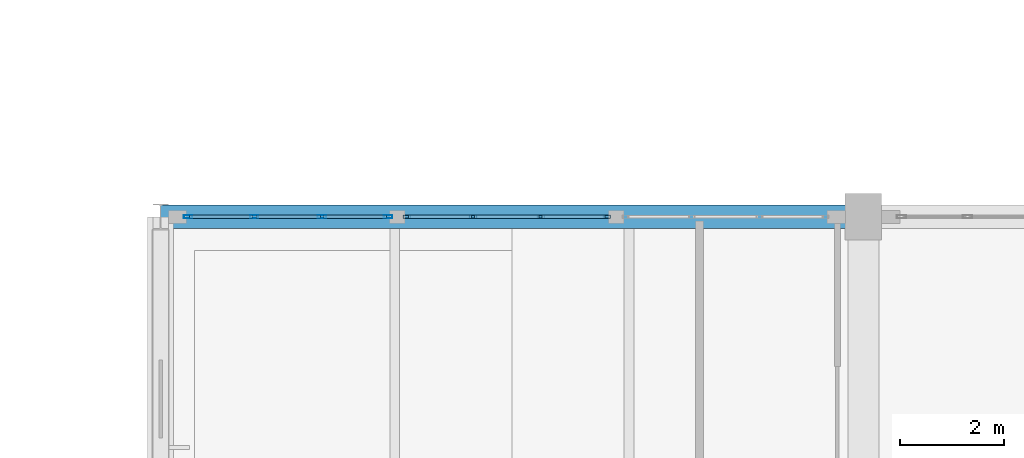
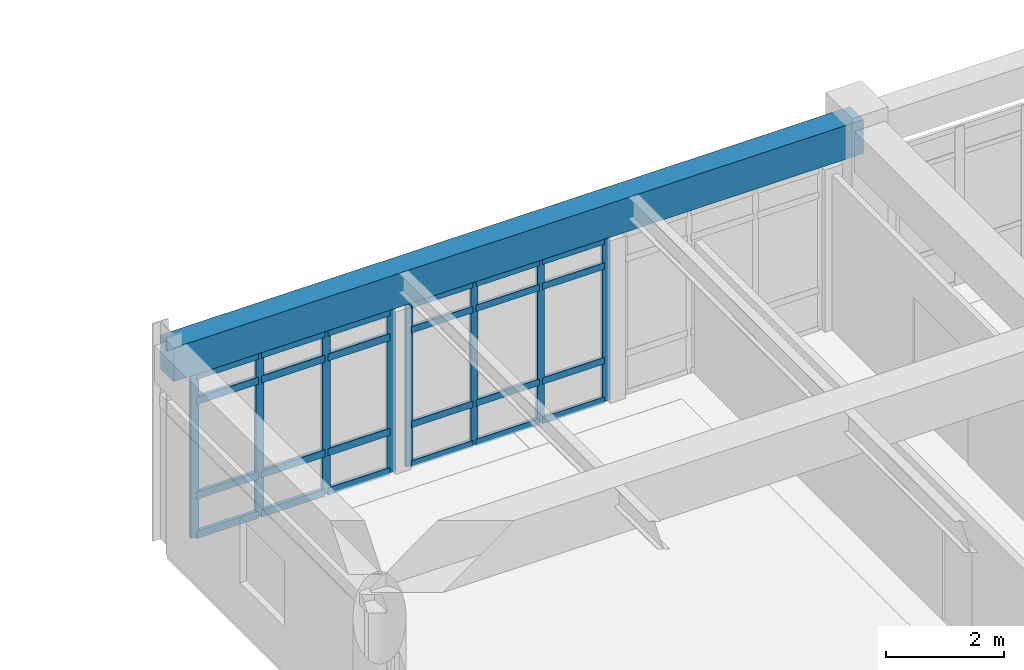
# One storey, part 20 of 80: 32 members, 1 beam, 2 elements without a shape of their own.
"""IFC4 building model written with IfcOpenShell, lengths in metres."""

from ifc_helpers import new_model, si_unit, direction, frame, origin, origin_2d, place, context, subcontext, project, spatial, rectangle, hollow_rectangle, extrude, material, layer, layer_set, material_profile, profile_set, type_object, element, aggregate, save


model = new_model("IFC4")

# Units and contexts
model_context = context("Model", 3, precision=1e-05, world=origin(), true_north=direction((0.0, 1.0)))
body_context = subcontext(model_context, "Body", "Model", "MODEL_VIEW")
ifc_project = project(units=[si_unit("LENGTHUNIT", "METRE"), si_unit("AREAUNIT", "SQUARE_METRE"), si_unit("VOLUMEUNIT", "CUBIC_METRE"), si_unit("PLANEANGLEUNIT", "RADIAN"), si_unit("MASSUNIT", "GRAM", prefix="KILO")], contexts=[model_context])

# Site, building, storey
site_placement = place(None, origin())
site = spatial("IfcSite", under=ifc_project, at=site_placement, CompositionType="ELEMENT")
building_placement = place(site_placement, origin())
building = spatial("IfcBuilding", under=site, at=building_placement, Name="Fikremerkos Civic Library", CompositionType="ELEMENT")
storey_placement = place(building_placement, frame((0.0, 0.0, 9.89990234375)))
storey = spatial("IfcBuildingStorey", under=building, at=storey_placement, Name="L02", CompositionType="ELEMENT", Elevation=9.89990234375)

# Curtain wall, members
ifc_material_1 = material(Name="Anodized aluminium Frame", Category="aluminium")
ifc_layer_1 = layer(ifc_material_1, 0.159912109375, Name="Anodized aluminium Frame")
ifc_layer_set_1 = layer_set([ifc_layer_1], Name="Anodized aluminium Frame")
curtain_wall_type_1 = type_object("IfcCurtainWallType", Name="Unitised curtain wall CW-10 4000x3400", PredefinedType="USERDEFINED", material=ifc_layer_set_1)
curtain_wall_1_placement = place(storey_placement, origin())
curtain_wall_1 = element("IfcCurtainWall", 1, at=curtain_wall_1_placement, inside=storey, type_object=curtain_wall_type_1, Name="Unitised curtain wall CW-10 L02 #154", ObjectType="UNITISED CURTAIN WALL", PredefinedType="USERDEFINED")
ifc_material_profile_1 = material_profile(ifc_material_1, hollow_rectangle(XDim=0.06005859375, YDim=0.159912109375, WallThickness=0.00390625, at=origin_2d()), Name="ALU 160x60x4")
ifc_profile_set_1 = profile_set([ifc_material_profile_1], Name="Anodized aluminium Frame")
member_type_1 = type_object("IfcMemberType", Name="Curtain mullion CWM-02 ALU 160x60x4", PredefinedType="MULLION", material=ifc_profile_set_1)
member_1_placement = place(storey_placement, frame((46.72802734375, 48.0, 0.0), z_axis=(0.0, 0.0, 1.0), x_axis=(0.0, 1.0, 0.0)))
member_1 = element("IfcMember", 2, at=member_1_placement, type_object=member_type_1, Name="CW-10 mullion 1", PredefinedType="MULLION", context=body_context, shape_type="SweptSolid", body=[
    extrude(hollow_rectangle(XDim=0.06005859375, YDim=0.159912109375, WallThickness=0.00390625, at=origin_2d()), origin(), (0.0, 0.0, 1.0), 3.360107421875),
])
member_2_placement = place(storey_placement, frame((47.99853515625, 48.0, 0.0), z_axis=(0.0, 0.0, 1.0), x_axis=(0.0, 1.0, 0.0)))
member_2 = element("IfcMember", 3, at=member_2_placement, type_object=member_type_1, Name="CW-10 mullion 2", PredefinedType="MULLION", context=body_context, shape_type="SweptSolid", body=[
    extrude(hollow_rectangle(XDim=0.06005859375, YDim=0.159912109375, WallThickness=0.00390625, at=origin_2d()), origin(), (0.0, 0.0, 1.0), 3.360107421875),
])
member_3_placement = place(storey_placement, frame((49.298828125, 48.0, 0.0), z_axis=(0.0, 0.0, 1.0), x_axis=(0.0, 1.0, 0.0)))
member_3 = element("IfcMember", 4, at=member_3_placement, type_object=member_type_1, Name="CW-10 mullion 3", PredefinedType="MULLION", context=body_context, shape_type="SweptSolid", body=[
    extrude(hollow_rectangle(XDim=0.06005859375, YDim=0.159912109375, WallThickness=0.00390625, at=origin_2d()), origin(), (0.0, 0.0, 1.0), 3.360107421875),
])
member_4_placement = place(storey_placement, frame((50.5693359375, 48.0, 0.0), z_axis=(0.0, 0.0, 1.0), x_axis=(0.0, 1.0, 0.0)))
member_4 = element("IfcMember", 5, at=member_4_placement, type_object=member_type_1, Name="CW-10 mullion 4", PredefinedType="MULLION", context=body_context, shape_type="SweptSolid", body=[
    extrude(hollow_rectangle(XDim=0.06005859375, YDim=0.159912109375, WallThickness=0.00390625, at=origin_2d()), origin(), (0.0, 0.0, 1.0), 3.360107421875),
])

ifc_layer_2 = layer(ifc_material_1, 0.159912109375, Name="Anodized aluminium Frame")
ifc_layer_set_2 = layer_set([ifc_layer_2], Name="Anodized aluminium Frame")
curtain_wall_type_2 = type_object("IfcCurtainWallType", Name="Unitised curtain wall CW-11 3200x3400", PredefinedType="USERDEFINED", material=ifc_layer_set_2)
curtain_wall_2_placement = place(storey_placement, origin())
curtain_wall_2 = element("IfcCurtainWall", 6, at=curtain_wall_2_placement, inside=storey, type_object=curtain_wall_type_2, Name="Unitised curtain wall CW-11 L02 #155", ObjectType="UNITISED CURTAIN WALL", PredefinedType="USERDEFINED")
ifc_material_profile_2 = material_profile(ifc_material_1, hollow_rectangle(XDim=0.06005859375, YDim=0.139892578125, WallThickness=0.00390625, at=origin_2d()), Name="ALU 140x60x4")
ifc_profile_set_2 = profile_set([ifc_material_profile_2], Name="Anodized aluminium Frame")
member_type_2 = type_object("IfcMemberType", Name="Curtain mullion CWM-03 ALU 140x60x4", PredefinedType="MULLION", material=ifc_profile_set_2)
member_5_placement = place(storey_placement, frame((50.929443359375, 48.0, 0.0), z_axis=(0.0, 0.0, 1.0), x_axis=(0.0, 1.0, 0.0)))
member_5 = element("IfcMember", 7, at=member_5_placement, type_object=member_type_2, Name="CW-11 mullion 1", PredefinedType="MULLION", context=body_context, shape_type="SweptSolid", body=[
    extrude(hollow_rectangle(XDim=0.06005859375, YDim=0.139892578125, WallThickness=0.00390625, at=origin_2d()), origin(), (0.0, 0.0, 1.0), 3.360107421875),
])
member_6_placement = place(storey_placement, frame((52.19970703125, 48.0, 0.0), z_axis=(0.0, 0.0, 1.0), x_axis=(0.0, 1.0, 0.0)))
member_6 = element("IfcMember", 8, at=member_6_placement, type_object=member_type_2, Name="CW-11 mullion 2", PredefinedType="MULLION", context=body_context, shape_type="SweptSolid", body=[
    extrude(hollow_rectangle(XDim=0.06005859375, YDim=0.139892578125, WallThickness=0.00390625, at=origin_2d()), origin(), (0.0, 0.0, 1.0), 3.360107421875),
])
member_7_placement = place(storey_placement, frame((53.500244140625, 48.0, 0.0), z_axis=(0.0, 0.0, 1.0), x_axis=(0.0, 1.0, 0.0)))
member_7 = element("IfcMember", 9, at=member_7_placement, type_object=member_type_2, Name="CW-11 mullion 3", PredefinedType="MULLION", context=body_context, shape_type="SweptSolid", body=[
    extrude(hollow_rectangle(XDim=0.06005859375, YDim=0.139892578125, WallThickness=0.00390625, at=origin_2d()), origin(), (0.0, 0.0, 1.0), 3.360107421875),
])
member_8_placement = place(storey_placement, frame((54.770751953125, 48.0, 0.0), z_axis=(0.0, 0.0, 1.0), x_axis=(0.0, 1.0, 0.0)))
member_8 = element("IfcMember", 10, at=member_8_placement, type_object=member_type_2, Name="CW-11 mullion 4", PredefinedType="MULLION", context=body_context, shape_type="SweptSolid", body=[
    extrude(hollow_rectangle(XDim=0.06005859375, YDim=0.139892578125, WallThickness=0.00390625, at=origin_2d()), origin(), (0.0, 0.0, 1.0), 3.360107421875),
])

# Member
ifc_material_profile_3 = material_profile(ifc_material_1, hollow_rectangle(XDim=0.070068359375, YDim=0.14990234375, WallThickness=0.00439453125, at=origin_2d()), Name="ALU 150x70x4.5")
ifc_profile_set_3 = profile_set([ifc_material_profile_3], Name="Anodized aluminium Frame")
member_type_3 = type_object("IfcMemberType", Name="Curtain transom CWT-01 ALU 150x70x4.5", PredefinedType="USERDEFINED", material=ifc_profile_set_3)
member_9_placement = place(storey_placement, frame((46.758056640625, 48.0, 0.03515625), z_axis=(1.0, 0.0, 0.0), x_axis=(0.0, 1.0, 0.0)))
member_9 = element("IfcMember", 11, at=member_9_placement, type_object=member_type_3, Name="CW-10 transom 1.1", ObjectType="TRANSOM", PredefinedType="USERDEFINED", context=body_context, shape_type="SweptSolid", body=[
    extrude(hollow_rectangle(XDim=0.070068359375, YDim=0.14990234375, WallThickness=0.00439453125, at=origin_2d()), origin(), (0.0, 0.0, 1.0), 1.21044921875),
])

member_10_placement = place(storey_placement, frame((46.758056640625, 48.0, 0.85009765625), z_axis=(1.0, 0.0, 0.0), x_axis=(0.0, 1.0, 0.0)))
member_10 = element("IfcMember", 12, at=member_10_placement, type_object=member_type_3, Name="CW-10 transom 1.2", ObjectType="TRANSOM", PredefinedType="USERDEFINED", context=body_context, shape_type="SweptSolid", body=[
    extrude(hollow_rectangle(XDim=0.070068359375, YDim=0.14990234375, WallThickness=0.00439453125, at=origin_2d()), origin(), (0.0, 0.0, 1.0), 1.21044921875),
])

member_11_placement = place(storey_placement, frame((46.758056640625, 48.0, 2.81005859375), z_axis=(1.0, 0.0, 0.0), x_axis=(0.0, 1.0, 0.0)))
member_11 = element("IfcMember", 13, at=member_11_placement, type_object=member_type_3, Name="CW-10 transom 1.3", ObjectType="TRANSOM", PredefinedType="USERDEFINED", context=body_context, shape_type="SweptSolid", body=[
    extrude(hollow_rectangle(XDim=0.070068359375, YDim=0.14990234375, WallThickness=0.00439453125, at=origin_2d()), origin(), (0.0, 0.0, 1.0), 1.21044921875),
])

member_12_placement = place(storey_placement, frame((46.758056640625, 48.0, 3.3251953125), z_axis=(1.0, 0.0, 0.0), x_axis=(0.0, 1.0, 0.0)))
member_12 = element("IfcMember", 14, at=member_12_placement, type_object=member_type_3, Name="CW-10 transom 1.4", ObjectType="TRANSOM", PredefinedType="USERDEFINED", context=body_context, shape_type="SweptSolid", body=[
    extrude(hollow_rectangle(XDim=0.070068359375, YDim=0.14990234375, WallThickness=0.00439453125, at=origin_2d()), origin(), (0.0, 0.0, 1.0), 1.21044921875),
])

member_13_placement = place(storey_placement, frame((48.028564453125, 48.0, 0.03515625), z_axis=(1.0, 0.0, 0.0), x_axis=(0.0, 1.0, 0.0)))
member_13 = element("IfcMember", 15, at=member_13_placement, type_object=member_type_3, Name="CW-10 transom 2.1", ObjectType="TRANSOM", PredefinedType="USERDEFINED", context=body_context, shape_type="SweptSolid", body=[
    extrude(hollow_rectangle(XDim=0.070068359375, YDim=0.14990234375, WallThickness=0.00439453125, at=origin_2d()), origin(), (0.0, 0.0, 1.0), 1.240234375),
])

member_14_placement = place(storey_placement, frame((48.028564453125, 48.0, 0.85009765625), z_axis=(1.0, 0.0, 0.0), x_axis=(0.0, 1.0, 0.0)))
member_14 = element("IfcMember", 16, at=member_14_placement, type_object=member_type_3, Name="CW-10 transom 2.2", ObjectType="TRANSOM", PredefinedType="USERDEFINED", context=body_context, shape_type="SweptSolid", body=[
    extrude(hollow_rectangle(XDim=0.070068359375, YDim=0.14990234375, WallThickness=0.00439453125, at=origin_2d()), origin(), (0.0, 0.0, 1.0), 1.240234375),
])

member_15_placement = place(storey_placement, frame((48.028564453125, 48.0, 2.81005859375), z_axis=(1.0, 0.0, 0.0), x_axis=(0.0, 1.0, 0.0)))
member_15 = element("IfcMember", 17, at=member_15_placement, type_object=member_type_3, Name="CW-10 transom 2.3", ObjectType="TRANSOM", PredefinedType="USERDEFINED", context=body_context, shape_type="SweptSolid", body=[
    extrude(hollow_rectangle(XDim=0.070068359375, YDim=0.14990234375, WallThickness=0.00439453125, at=origin_2d()), origin(), (0.0, 0.0, 1.0), 1.240234375),
])

member_16_placement = place(storey_placement, frame((48.028564453125, 48.0, 3.3251953125), z_axis=(1.0, 0.0, 0.0), x_axis=(0.0, 1.0, 0.0)))
member_16 = element("IfcMember", 18, at=member_16_placement, type_object=member_type_3, Name="CW-10 transom 2.4", ObjectType="TRANSOM", PredefinedType="USERDEFINED", context=body_context, shape_type="SweptSolid", body=[
    extrude(hollow_rectangle(XDim=0.070068359375, YDim=0.14990234375, WallThickness=0.00439453125, at=origin_2d()), origin(), (0.0, 0.0, 1.0), 1.240234375),
])

member_17_placement = place(storey_placement, frame((49.328857421875, 48.0, 0.03515625), z_axis=(1.0, 0.0, 0.0), x_axis=(0.0, 1.0, 0.0)))
member_17 = element("IfcMember", 19, at=member_17_placement, type_object=member_type_3, Name="CW-10 transom 3.1", ObjectType="TRANSOM", PredefinedType="USERDEFINED", context=body_context, shape_type="SweptSolid", body=[
    extrude(hollow_rectangle(XDim=0.070068359375, YDim=0.14990234375, WallThickness=0.00439453125, at=origin_2d()), origin(), (0.0, 0.0, 1.0), 1.21044921875),
])

member_18_placement = place(storey_placement, frame((49.328857421875, 48.0, 0.85009765625), z_axis=(1.0, 0.0, 0.0), x_axis=(0.0, 1.0, 0.0)))
member_18 = element("IfcMember", 20, at=member_18_placement, type_object=member_type_3, Name="CW-10 transom 3.2", ObjectType="TRANSOM", PredefinedType="USERDEFINED", context=body_context, shape_type="SweptSolid", body=[
    extrude(hollow_rectangle(XDim=0.070068359375, YDim=0.14990234375, WallThickness=0.00439453125, at=origin_2d()), origin(), (0.0, 0.0, 1.0), 1.21044921875),
])

member_19_placement = place(storey_placement, frame((49.328857421875, 48.0, 2.81005859375), z_axis=(1.0, 0.0, 0.0), x_axis=(0.0, 1.0, 0.0)))
member_19 = element("IfcMember", 21, at=member_19_placement, type_object=member_type_3, Name="CW-10 transom 3.3", ObjectType="TRANSOM", PredefinedType="USERDEFINED", context=body_context, shape_type="SweptSolid", body=[
    extrude(hollow_rectangle(XDim=0.070068359375, YDim=0.14990234375, WallThickness=0.00439453125, at=origin_2d()), origin(), (0.0, 0.0, 1.0), 1.21044921875),
])

member_20_placement = place(storey_placement, frame((49.328857421875, 48.0, 3.3251953125), z_axis=(1.0, 0.0, 0.0), x_axis=(0.0, 1.0, 0.0)))
member_20 = element("IfcMember", 22, at=member_20_placement, type_object=member_type_3, Name="CW-10 transom 3.4", ObjectType="TRANSOM", PredefinedType="USERDEFINED", context=body_context, shape_type="SweptSolid", body=[
    extrude(hollow_rectangle(XDim=0.070068359375, YDim=0.14990234375, WallThickness=0.00439453125, at=origin_2d()), origin(), (0.0, 0.0, 1.0), 1.21044921875),
])

aggregate(curtain_wall_1, [member_1, member_2, member_3, member_4, member_9, member_10, member_11, member_12, member_13, member_14, member_15, member_16, member_17, member_18, member_19, member_20])

ifc_material_profile_4 = material_profile(ifc_material_1, hollow_rectangle(XDim=0.06494140625, YDim=0.135009765625, WallThickness=0.00439453125, at=origin_2d()), Name="ALU 135x65x4.5")
ifc_profile_set_4 = profile_set([ifc_material_profile_4], Name="Anodized aluminium Frame")
member_type_4 = type_object("IfcMemberType", Name="Curtain transom CWT-02 ALU 135x65x4.5", PredefinedType="USERDEFINED", material=ifc_profile_set_4)
member_21_placement = place(storey_placement, frame((50.959228515625, 48.0, 0.03271484375), z_axis=(1.0, 0.0, 0.0), x_axis=(0.0, 1.0, 0.0)))
member_21 = element("IfcMember", 23, at=member_21_placement, type_object=member_type_4, Name="CW-11 transom 1.1", ObjectType="TRANSOM", PredefinedType="USERDEFINED", context=body_context, shape_type="SweptSolid", body=[
    extrude(hollow_rectangle(XDim=0.06494140625, YDim=0.135009765625, WallThickness=0.00439453125, at=origin_2d()), origin(), (0.0, 0.0, 1.0), 1.21044921875),
])

member_22_placement = place(storey_placement, frame((50.959228515625, 48.0, 0.85009765625), z_axis=(1.0, 0.0, 0.0), x_axis=(0.0, 1.0, 0.0)))
member_22 = element("IfcMember", 24, at=member_22_placement, type_object=member_type_4, Name="CW-11 transom 1.2", ObjectType="TRANSOM", PredefinedType="USERDEFINED", context=body_context, shape_type="SweptSolid", body=[
    extrude(hollow_rectangle(XDim=0.06494140625, YDim=0.135009765625, WallThickness=0.00439453125, at=origin_2d()), origin(), (0.0, 0.0, 1.0), 1.21044921875),
])

member_23_placement = place(storey_placement, frame((50.959228515625, 48.0, 2.81005859375), z_axis=(1.0, 0.0, 0.0), x_axis=(0.0, 1.0, 0.0)))
member_23 = element("IfcMember", 25, at=member_23_placement, type_object=member_type_4, Name="CW-11 transom 1.3", ObjectType="TRANSOM", PredefinedType="USERDEFINED", context=body_context, shape_type="SweptSolid", body=[
    extrude(hollow_rectangle(XDim=0.06494140625, YDim=0.135009765625, WallThickness=0.00439453125, at=origin_2d()), origin(), (0.0, 0.0, 1.0), 1.21044921875),
])

member_24_placement = place(storey_placement, frame((50.959228515625, 48.0, 3.32763671875), z_axis=(1.0, 0.0, 0.0), x_axis=(0.0, 1.0, 0.0)))
member_24 = element("IfcMember", 26, at=member_24_placement, type_object=member_type_4, Name="CW-11 transom 1.4", ObjectType="TRANSOM", PredefinedType="USERDEFINED", context=body_context, shape_type="SweptSolid", body=[
    extrude(hollow_rectangle(XDim=0.06494140625, YDim=0.135009765625, WallThickness=0.00439453125, at=origin_2d()), origin(), (0.0, 0.0, 1.0), 1.21044921875),
])

member_25_placement = place(storey_placement, frame((52.229736328125, 48.0, 0.03271484375), z_axis=(1.0, 0.0, 0.0), x_axis=(0.0, 1.0, 0.0)))
member_25 = element("IfcMember", 27, at=member_25_placement, type_object=member_type_4, Name="CW-11 transom 2.1", ObjectType="TRANSOM", PredefinedType="USERDEFINED", context=body_context, shape_type="SweptSolid", body=[
    extrude(hollow_rectangle(XDim=0.06494140625, YDim=0.135009765625, WallThickness=0.00439453125, at=origin_2d()), origin(), (0.0, 0.0, 1.0), 1.240478515625),
])

member_26_placement = place(storey_placement, frame((52.229736328125, 48.0, 0.85009765625), z_axis=(1.0, 0.0, 0.0), x_axis=(0.0, 1.0, 0.0)))
member_26 = element("IfcMember", 28, at=member_26_placement, type_object=member_type_4, Name="CW-11 transom 2.2", ObjectType="TRANSOM", PredefinedType="USERDEFINED", context=body_context, shape_type="SweptSolid", body=[
    extrude(hollow_rectangle(XDim=0.06494140625, YDim=0.135009765625, WallThickness=0.00439453125, at=origin_2d()), origin(), (0.0, 0.0, 1.0), 1.240478515625),
])

member_27_placement = place(storey_placement, frame((52.229736328125, 48.0, 2.81005859375), z_axis=(1.0, 0.0, 0.0), x_axis=(0.0, 1.0, 0.0)))
member_27 = element("IfcMember", 29, at=member_27_placement, type_object=member_type_4, Name="CW-11 transom 2.3", ObjectType="TRANSOM", PredefinedType="USERDEFINED", context=body_context, shape_type="SweptSolid", body=[
    extrude(hollow_rectangle(XDim=0.06494140625, YDim=0.135009765625, WallThickness=0.00439453125, at=origin_2d()), origin(), (0.0, 0.0, 1.0), 1.240478515625),
])

member_28_placement = place(storey_placement, frame((52.229736328125, 48.0, 3.32763671875), z_axis=(1.0, 0.0, 0.0), x_axis=(0.0, 1.0, 0.0)))
member_28 = element("IfcMember", 30, at=member_28_placement, type_object=member_type_4, Name="CW-11 transom 2.4", ObjectType="TRANSOM", PredefinedType="USERDEFINED", context=body_context, shape_type="SweptSolid", body=[
    extrude(hollow_rectangle(XDim=0.06494140625, YDim=0.135009765625, WallThickness=0.00439453125, at=origin_2d()), origin(), (0.0, 0.0, 1.0), 1.240478515625),
])

member_29_placement = place(storey_placement, frame((53.5302734375, 48.0, 0.03271484375), z_axis=(1.0, 0.0, 0.0), x_axis=(0.0, 1.0, 0.0)))
member_29 = element("IfcMember", 31, at=member_29_placement, type_object=member_type_4, Name="CW-11 transom 3.1", ObjectType="TRANSOM", PredefinedType="USERDEFINED", context=body_context, shape_type="SweptSolid", body=[
    extrude(hollow_rectangle(XDim=0.06494140625, YDim=0.135009765625, WallThickness=0.00439453125, at=origin_2d()), origin(), (0.0, 0.0, 1.0), 1.21044921875),
])

member_30_placement = place(storey_placement, frame((53.5302734375, 48.0, 0.85009765625), z_axis=(1.0, 0.0, 0.0), x_axis=(0.0, 1.0, 0.0)))
member_30 = element("IfcMember", 32, at=member_30_placement, type_object=member_type_4, Name="CW-11 transom 3.2", ObjectType="TRANSOM", PredefinedType="USERDEFINED", context=body_context, shape_type="SweptSolid", body=[
    extrude(hollow_rectangle(XDim=0.06494140625, YDim=0.135009765625, WallThickness=0.00439453125, at=origin_2d()), origin(), (0.0, 0.0, 1.0), 1.21044921875),
])

member_31_placement = place(storey_placement, frame((53.5302734375, 48.0, 2.81005859375), z_axis=(1.0, 0.0, 0.0), x_axis=(0.0, 1.0, 0.0)))
member_31 = element("IfcMember", 33, at=member_31_placement, type_object=member_type_4, Name="CW-11 transom 3.3", ObjectType="TRANSOM", PredefinedType="USERDEFINED", context=body_context, shape_type="SweptSolid", body=[
    extrude(hollow_rectangle(XDim=0.06494140625, YDim=0.135009765625, WallThickness=0.00439453125, at=origin_2d()), origin(), (0.0, 0.0, 1.0), 1.21044921875),
])

member_32_placement = place(storey_placement, frame((53.5302734375, 48.0, 3.32763671875), z_axis=(1.0, 0.0, 0.0), x_axis=(0.0, 1.0, 0.0)))
member_32 = element("IfcMember", 34, at=member_32_placement, type_object=member_type_4, Name="CW-11 transom 3.4", ObjectType="TRANSOM", PredefinedType="USERDEFINED", context=body_context, shape_type="SweptSolid", body=[
    extrude(hollow_rectangle(XDim=0.06494140625, YDim=0.135009765625, WallThickness=0.00439453125, at=origin_2d()), origin(), (0.0, 0.0, 1.0), 1.21044921875),
])

aggregate(curtain_wall_2, [member_5, member_6, member_7, member_8, member_21, member_22, member_23, member_24, member_25, member_26, member_27, member_28, member_29, member_30, member_31, member_32])

# Beam
ifc_material_2 = material(Name="Concrete C40/50", Category="concrete")
ifc_material_profile_5 = material_profile(ifc_material_2, rectangle(XDim=0.449951171875, YDim=0.699951171875, at=origin_2d()), Name="RC 450x700")
ifc_profile_set_5 = profile_set([ifc_material_profile_5], Name="Concrete C40/50")
beam_type = type_object("IfcBeamType", Name="Primary girder BM-06 RC 450x700", PredefinedType="BEAM", material=ifc_profile_set_5)
beam_placement = place(storey_placement, frame((46.199951171875, 48.0, 3.8701171875), z_axis=(1.0, 0.0, 0.0), x_axis=(0.0, 1.0, 0.0)))
element("IfcBeam", 35, at=beam_placement, inside=storey, type_object=beam_type, Name="Primary girder BM-06 L02 grid J", PredefinedType="BEAM", context=body_context, shape_type="SweptSolid", body=[
    extrude(rectangle(XDim=0.449951171875, YDim=0.699951171875, at=origin_2d()), origin(), (0.0, 0.0, 1.0), 13.5),
])

save(model, "model.ifc")
